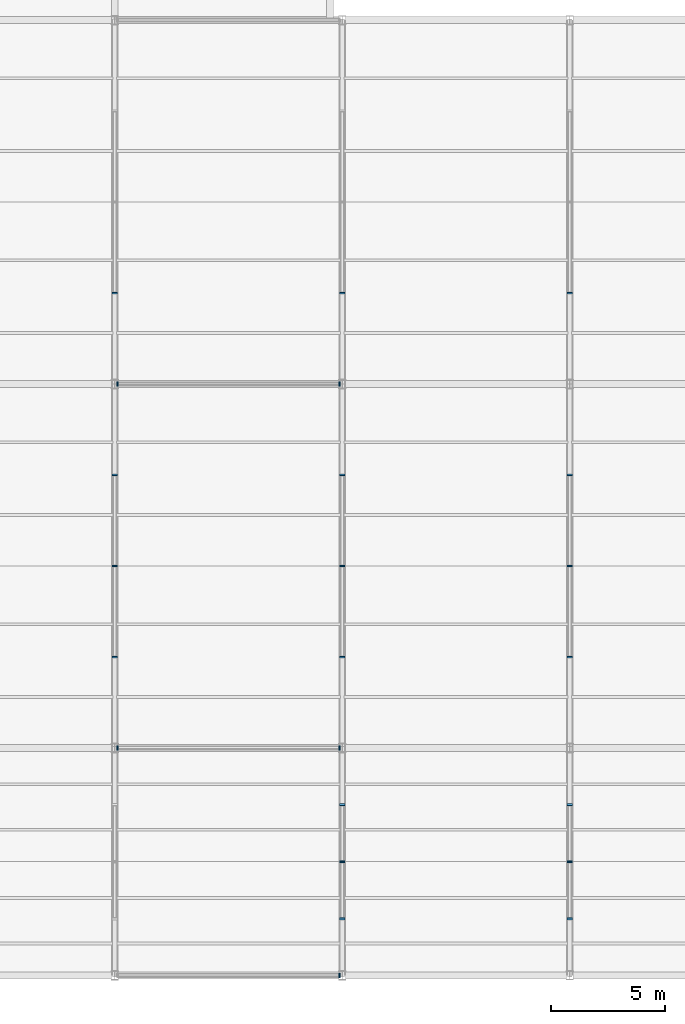
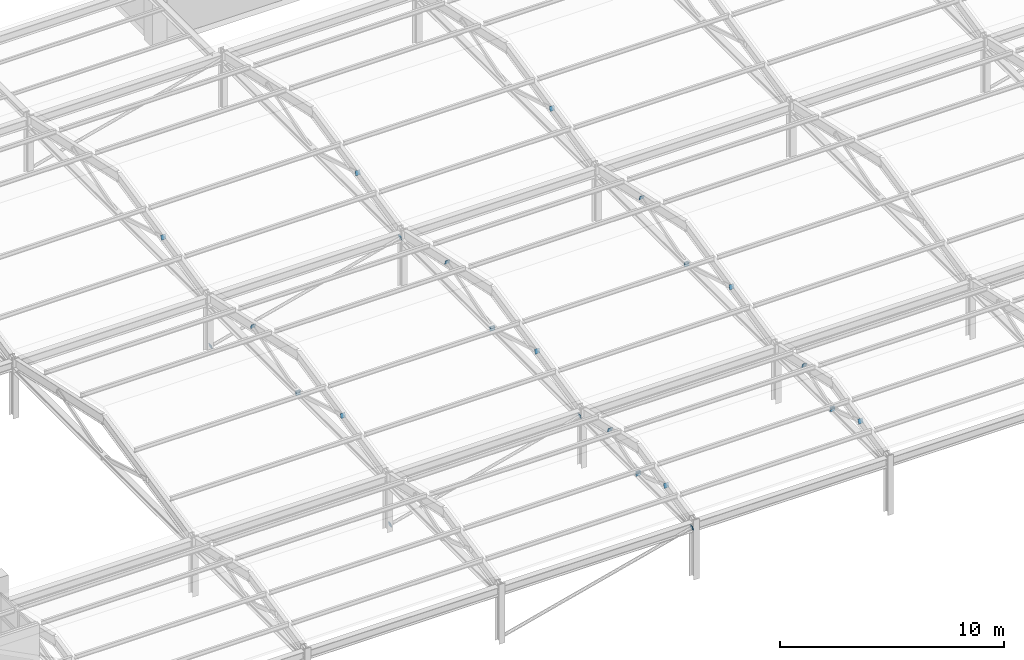
# One storey, part 83 of 109: 28 plates.
"""IFC4 building model written with IfcOpenShell, lengths in metres."""

from ifc_helpers import new_model, si_unit, direction, frame, origin, origin_2d, place, context, subcontext, project, spatial, rectangle, extrude, material, layer, layer_set, type_object, element, save


model = new_model("IFC4")

# Units and contexts
model_context = context("Model", 3, precision=1e-05, world=origin(), true_north=direction((0.0, 1.0)))
body_context = subcontext(model_context, "Body", "Model", "MODEL_VIEW")
ifc_project = project(units=[si_unit("LENGTHUNIT", "METRE"), si_unit("AREAUNIT", "SQUARE_METRE"), si_unit("VOLUMEUNIT", "CUBIC_METRE"), si_unit("PLANEANGLEUNIT", "RADIAN"), si_unit("MASSUNIT", "GRAM", prefix="KILO")], contexts=[model_context])

# Site, building, storey
site_placement = place(None, origin())
site = spatial("IfcSite", under=ifc_project, at=site_placement, CompositionType="ELEMENT")
building_placement = place(site_placement, origin())
building = spatial("IfcBuilding", under=site, at=building_placement, Name="Kivolera Central Railway Station", CompositionType="ELEMENT")
storey_placement = place(building_placement, frame((0.0, 0.0, 9.60009765625)))
storey = spatial("IfcBuildingStorey", under=building, at=storey_placement, Name="L02", CompositionType="ELEMENT", Elevation=9.60009765625)

# Plates
ifc_material = material(Name="Steel S355", Category="steel")
ifc_layer_1 = layer(ifc_material, 0.02001953125, Name="Steel S355")
ifc_layer_set_1 = layer_set([ifc_layer_1], Name="Steel S355")
plate_type_1 = type_object("IfcPlateType", Name="PLT-CAP-210", PredefinedType="SHEET", material=ifc_layer_set_1)
for number, where, z_axis, x_axis, name in (
    (1, (117.876953125, 6.0, 2.7509765625), (0.968639336195, 0.0, 0.24847099705), (0.0, 1.0, 0.0), "Hollow section end-cap plate NP-CAP3"),
    (2, (108.123046875, 16.0, 0.2490234375), (0.968639336195, 0.0, 0.24847099705), (0.0, 1.0, 0.0), "Hollow section end-cap plate NP-CAP3"),
    (3, (117.876953125, 16.0, 2.7509765625), (0.968639336195, 0.0, 0.24847099705), (0.0, 1.0, 0.0), "Hollow section end-cap plate NP-CAP3"),
    (4, (108.123046875, 32.0, 0.2490234375), (0.968639336195, 0.0, 0.24847099705), (0.0, 1.0, 0.0), "Hollow section end-cap plate NP-CAP3"),
    (5, (117.876953125, 32.0, 2.7509765625), (0.968639336195, 0.0, 0.24847099705), (0.0, 1.0, 0.0), "Hollow section end-cap plate NP-CAP3"),
):
    element("IfcPlate", number, at=place(storey_placement, frame(where, z_axis=z_axis, x_axis=x_axis)), inside=storey, type_object=plate_type_1, Name=name, PredefinedType="SHEET", context=body_context, shape_type="SweptSolid", body=[
        extrude(rectangle(XDim=0.2099609375, YDim=0.2099609375, at=origin_2d()), frame((0.0, 0.0, -0.010009765625)), (0.0, 0.0, 1.0), 0.02001953125),
    ])
ifc_layer_2 = layer(ifc_material, 0.02197265625, Name="Steel S355")
ifc_layer_set_2 = layer_set([ifc_layer_2], Name="Steel S355")
plate_type_2 = type_object("IfcPlateType", Name="PLT-CAP-260", PredefinedType="SHEET", material=ifc_layer_set_2)
for number, where, z_axis, x_axis, name in (
    (6, (108.0, 24.00390625, 2.618896484375), (0.0, -0.958810202665, 0.284047522901), (1.0, 0.0, 0.0), "Hollow section end-cap plate NP-CAP2"),
    (7, (108.0, 19.99609375, 3.805908203125), (0.0, -0.958810202665, 0.284047522901), (1.0, 0.0, 0.0), "Hollow section end-cap plate NP-CAP2"),
    (8, (108.0, 23.99609375, 2.618896484375), (0.0, 0.958810202665, 0.284047522901), (-1.0, 0.0, 0.0), "Hollow section end-cap plate NP-CAP2"),
    (9, (108.0, 28.00390625, 3.805908203125), (0.0, 0.958810202665, 0.284047522901), (-1.0, 0.0, 0.0), "Hollow section end-cap plate NP-CAP2"),
    (10, (108.0, 35.99609375, 3.805908203125), (0.0, -0.958810202665, 0.284047522901), (1.0, 0.0, 0.0), "Hollow section end-cap plate NP-CAP2"),
    (11, (118.0, 11.00390625, 2.618896484375), (0.0, -0.946194484088, 0.32359851403), (1.0, 0.0, 0.0), "Hollow section end-cap plate NP-CAP2"),
    (12, (118.0, 8.49609375, 3.475830078125), (0.0, -0.946194484088, 0.32359851403), (1.0, 0.0, 0.0), "Hollow section end-cap plate NP-CAP2"),
    (13, (118.0, 10.99609375, 2.618896484375), (0.0, 0.946194484088, 0.32359851403), (-1.0, 0.0, 0.0), "Hollow section end-cap plate NP-CAP2"),
    (14, (118.0, 13.50390625, 3.475830078125), (0.0, 0.946194484088, 0.32359851403), (-1.0, 0.0, 0.0), "Hollow section end-cap plate NP-CAP2"),
    (15, (118.0, 24.00390625, 2.618896484375), (0.0, -0.958810202665, 0.284047522901), (1.0, 0.0, 0.0), "Hollow section end-cap plate NP-CAP2"),
    (16, (118.0, 19.99609375, 3.805908203125), (0.0, -0.958810202665, 0.284047522901), (1.0, 0.0, 0.0), "Hollow section end-cap plate NP-CAP2"),
    (17, (118.0, 23.99609375, 2.618896484375), (0.0, 0.958810202665, 0.284047522901), (-1.0, 0.0, 0.0), "Hollow section end-cap plate NP-CAP2"),
    (18, (118.0, 28.00390625, 3.805908203125), (0.0, 0.958810202665, 0.284047522901), (-1.0, 0.0, 0.0), "Hollow section end-cap plate NP-CAP2"),
    (19, (118.0, 35.99609375, 3.805908203125), (0.0, -0.958810202665, 0.284047522901), (1.0, 0.0, 0.0), "Hollow section end-cap plate NP-CAP2"),
    (20, (128.0, 11.00390625, 2.618896484375), (0.0, -0.946194484088, 0.32359851403), (1.0, 0.0, 0.0), "Hollow section end-cap plate NP-CAP2"),
    (21, (128.0, 8.49609375, 3.475830078125), (0.0, -0.946194484088, 0.32359851403), (1.0, 0.0, 0.0), "Hollow section end-cap plate NP-CAP2"),
    (22, (128.0, 10.99609375, 2.618896484375), (0.0, 0.946194484088, 0.32359851403), (-1.0, 0.0, 0.0), "Hollow section end-cap plate NP-CAP2"),
    (23, (128.0, 13.50390625, 3.475830078125), (0.0, 0.946194484088, 0.32359851403), (-1.0, 0.0, 0.0), "Hollow section end-cap plate NP-CAP2"),
    (24, (128.0, 24.00390625, 2.618896484375), (0.0, -0.958810202665, 0.284047522901), (1.0, 0.0, 0.0), "Hollow section end-cap plate NP-CAP2"),
    (25, (128.0, 19.99609375, 3.805908203125), (0.0, -0.958810202665, 0.284047522901), (1.0, 0.0, 0.0), "Hollow section end-cap plate NP-CAP2"),
    (26, (128.0, 23.99609375, 2.618896484375), (0.0, 0.958810202665, 0.284047522901), (-1.0, 0.0, 0.0), "Hollow section end-cap plate NP-CAP2"),
    (27, (128.0, 28.00390625, 3.805908203125), (0.0, 0.958810202665, 0.284047522901), (-1.0, 0.0, 0.0), "Hollow section end-cap plate NP-CAP2"),
    (28, (128.0, 35.99609375, 3.805908203125), (0.0, -0.958810202665, 0.284047522901), (1.0, 0.0, 0.0), "Hollow section end-cap plate NP-CAP2"),
):
    element("IfcPlate", number, at=place(storey_placement, frame(where, z_axis=z_axis, x_axis=x_axis)), inside=storey, type_object=plate_type_2, Name=name, PredefinedType="SHEET", context=body_context, shape_type="SweptSolid", body=[
        extrude(rectangle(XDim=0.239990234375, YDim=0.239990234375, at=origin_2d()), frame((0.0, 0.0, -0.010986328125)), (0.0, 0.0, 1.0), 0.02197265625),
    ])

save(model, "model.ifc")
